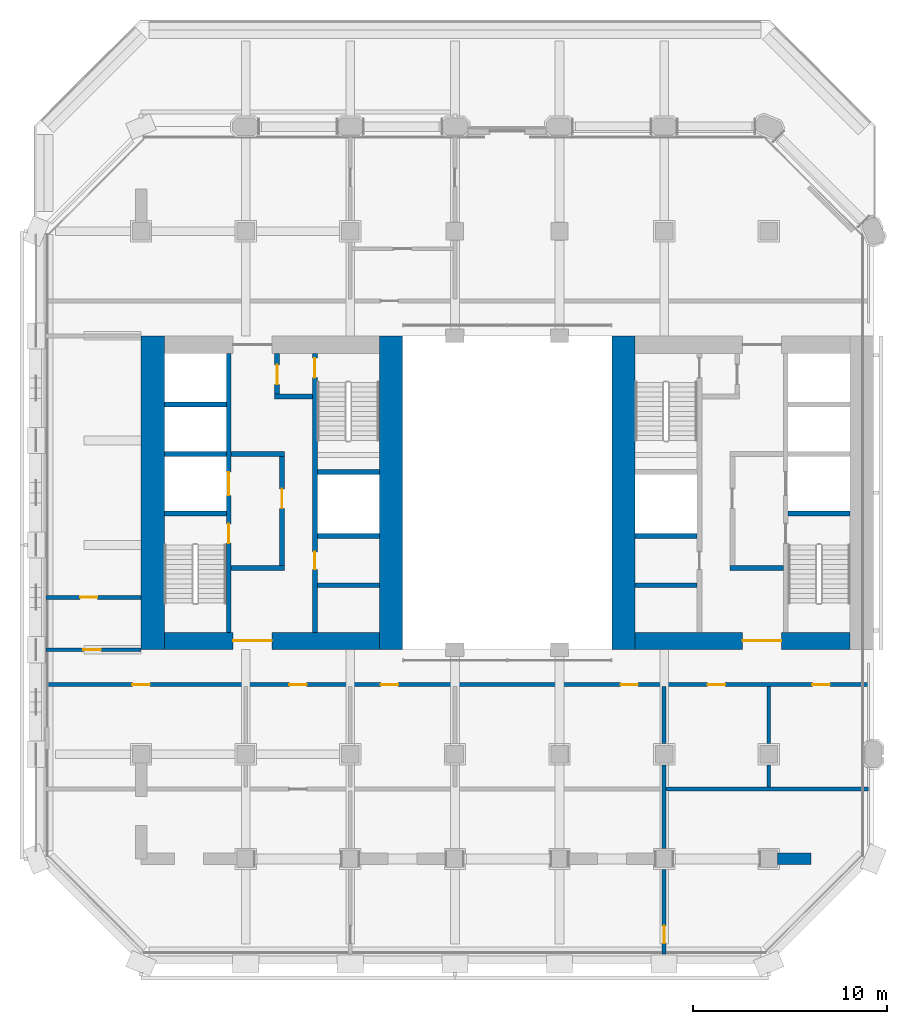
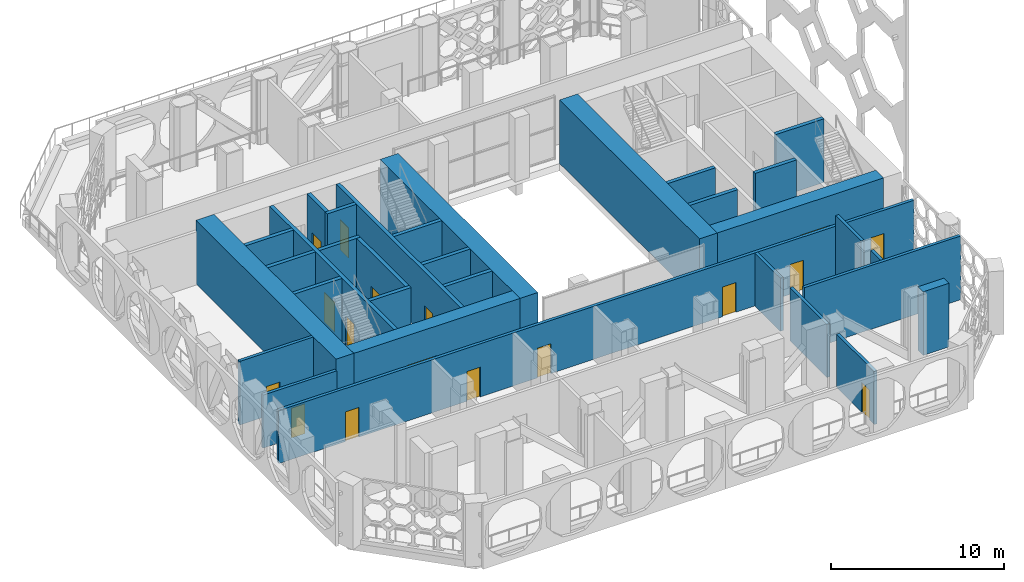
# One storey, part 9 of 17: 32 walls, 17 doors, 17 openings.
"""IFC4 building model written with IfcOpenShell, lengths in metres."""

import ifcopenshell
import ifcopenshell.guid

model = None  # the IFC model being written
_history = None  # IfcOwnerHistory: only IFC2X3 demands one
_inside = {}  # id of a spatial element -> (the spatial element, [elements in it])
_under = {}  # id of a project, library or spatial element -> (it, [spatial elements below it])
_declared = {}  # id of a project -> (the project, [libraries it declares])
_typed = {}  # id of a type object -> (the type object, [elements of that type])
_made_of = {}  # id of a material, layer set ... -> (it, [elements and type objects made of it])


def new_model(schema):
    """Start an empty IFC model of exactly this schema.

    Asked for "IFC4X3", IfcOpenShell would pick the latest addendum, in which some entities
    have other attributes; the version numbers below select the first issue.
    IFC2X3 requires an IfcOwnerHistory on every rooted entity: one is made here for all.
    """
    global model, _history
    if schema == "IFC4X3":
        model = ifcopenshell.file(schema_version=(4, 3, 0, 0))
    else:
        model = ifcopenshell.file(schema=schema)
    _inside.clear()
    _under.clear()
    _declared.clear()
    _typed.clear()
    _made_of.clear()
    _history = None
    if model.schema == "IFC2X3":
        org = make("IfcOrganization", Name="unknown")
        user = make(
            "IfcPersonAndOrganization",
            ThePerson=make("IfcPerson", FamilyName="unknown"),
            TheOrganization=org,
        )
        app = make(
            "IfcApplication",
            ApplicationDeveloper=org,
            Version="unknown",
            ApplicationFullName="unknown",
            ApplicationIdentifier="unknown",
        )
        _history = make(
            "IfcOwnerHistory",
            OwningUser=user,
            OwningApplication=app,
            ChangeAction="ADDED",
            CreationDate=0,
        )
    return model


def make(cls, **values):
    """One entity of the class cls with the attributes given. An attribute that is None is left unset."""
    return model.create_entity(
        cls, **{name: value for name, value in values.items() if value is not None}
    )


def rooted(cls, **values):
    """An entity with a GlobalId (a new one), such as an element, a storey or a relation."""
    return make(cls, GlobalId=ifcopenshell.guid.new(), OwnerHistory=_history, **values)


def si_unit(unit_type, name, prefix=None):
    """IfcSIUnit, for example si_unit("LENGTHUNIT", "METRE", prefix="MILLI")."""
    return make("IfcSIUnit", UnitType=unit_type, Prefix=prefix, Name=name)


def assignment(units):
    """IfcUnitAssignment: the units of a project."""
    return None if units is None else make("IfcUnitAssignment", Units=units)


def point(xyz):
    """IfcCartesianPoint."""
    return None if xyz is None else make("IfcCartesianPoint", Coordinates=xyz)


def direction(xyz):
    """IfcDirection."""
    return None if xyz is None else make("IfcDirection", DirectionRatios=xyz)


def frame(location, z_axis=None, x_axis=None):
    """IfcAxis2Placement3D, a coordinate frame: its origin and axes. An axis left out is left unset."""
    return make(
        "IfcAxis2Placement3D",
        Location=point(location),
        Axis=direction(z_axis),
        RefDirection=direction(x_axis),
    )


def frame_2d(location, x_axis=None):
    """IfcAxis2Placement2D, a coordinate frame in the plane: its origin and x axis."""
    return make(
        "IfcAxis2Placement2D", Location=point(location), RefDirection=direction(x_axis)
    )


def origin():
    """The frame at (0, 0, 0) with its axes left unset."""
    return frame((0.0, 0.0, 0.0))


def place(relative_to, where):
    """IfcLocalPlacement: puts the frame where relative to a parent placement (None: the world)."""
    return make(
        "IfcLocalPlacement", PlacementRelTo=relative_to, RelativePlacement=where
    )


def context(
    kind, dimensions, precision=None, world=None, true_north=None, identifier=None
):
    """IfcGeometricRepresentationContext, for example the 3D "Model" context."""
    return make(
        "IfcGeometricRepresentationContext",
        ContextIdentifier=identifier,
        ContextType=kind,
        CoordinateSpaceDimension=dimensions,
        Precision=precision,
        WorldCoordinateSystem=world,
        TrueNorth=true_north,
    )


def subcontext(parent, identifier, kind, view, scale=None):
    """IfcGeometricRepresentationSubContext, for example "Body" below "Model"."""
    return make(
        "IfcGeometricRepresentationSubContext",
        ContextIdentifier=identifier,
        ContextType=kind,
        ParentContext=parent,
        TargetScale=scale,
        TargetView=view,
    )


def project(units=None, contexts=None):
    """IfcProject with its units and contexts."""
    return rooted(
        "IfcProject",
        Name="project",
        RepresentationContexts=contexts,
        UnitsInContext=assignment(units),
    )


def spatial(cls, under=None, at=None, **own):
    """A site, building, storey or space (cls), placed at a placement, below another one or the project."""
    s = rooted(cls, ObjectPlacement=at, **own)
    if under is not None:
        _under.setdefault(under.id(), (under, []))[1].append(s)
    return s


def profile(cls, at=None, kind="AREA", **sizes):
    """A parametric profile (cls). Its sizes go by their IFC names, for example OverallWidth=200.0."""
    return make(cls, ProfileType=kind, Position=at, **sizes)


def rectangle(**sizes):
    """IfcRectangleProfileDef."""
    return profile("IfcRectangleProfileDef", **sizes)


def extrude(swept, where, along, depth):
    """IfcExtrudedAreaSolid: the profile swept, set in the frame where, extruded along a direction by depth."""
    return make(
        "IfcExtrudedAreaSolid",
        SweptArea=swept,
        Position=where,
        ExtrudedDirection=direction(along),
        Depth=depth,
    )


def shape(context_of_items, identifier, shape_type, items):
    """IfcShapeRepresentation: the items that make up one representation, for example the "Body"."""
    return make(
        "IfcShapeRepresentation",
        ContextOfItems=context_of_items,
        RepresentationIdentifier=identifier,
        RepresentationType=shape_type,
        Items=items,
    )


def material(Name=None, Category=None):
    """IfcMaterial."""
    return make("IfcMaterial", Name=Name, Category=Category)


def layer(
    of_material, thickness, ventilated=None, Name=None, Category=None, Priority=None
):
    """IfcMaterialLayer: one layer of a wall or slab, of a material (None: an air gap)."""
    return make(
        "IfcMaterialLayer",
        Material=of_material,
        LayerThickness=thickness,
        IsVentilated=ventilated,
        Name=Name,
        Category=Category,
        Priority=Priority,
    )


def layer_set(layers, Name=None):
    """IfcMaterialLayerSet."""
    return make("IfcMaterialLayerSet", MaterialLayers=layers, LayerSetName=Name)


def made_of(thing, what):
    """Note that an element or type object is made of a material, layer set ...; save() writes the relation."""
    if what is not None:
        _made_of.setdefault(what.id(), (what, []))[1].append(thing)
    return thing


def type_object(cls, material=None, **own):
    """A type object (cls), such as IfcWallType, which elements share."""
    return made_of(rooted(cls, **own), material)


def element(
    cls,
    number,
    at=None,
    inside=None,
    cuts=None,
    type_object=None,
    material=None,
    context=None,
    identifier="Body",
    shape_type=None,
    held_by="IfcProductDefinitionShape",
    body=None,
    shapes=None,
    **own,
):
    """One element of the class cls, such as IfcWall. Its Tag is "e" and its number.

    at: its placement. inside: the storey or other place that contains it. cuts: it is an
    opening in that element (IfcRelVoidsElement). A single representation is given by context,
    identifier, shape_type and body (its items); several are given by shapes. held_by: the class
    of the entity that holds the representations. save() writes the other relations.
    """
    e = rooted(cls, Tag="e%d" % number, ObjectPlacement=at, **own)
    if body is not None:
        shapes = [shape(context, identifier, shape_type, body)]
    if shapes is not None:
        e.Representation = make(held_by, Representations=shapes)
    if inside is not None:
        _inside.setdefault(inside.id(), (inside, []))[1].append(e)
    if cuts is not None:
        rooted(
            "IfcRelVoidsElement", RelatingBuildingElement=cuts, RelatedOpeningElement=e
        )
    if type_object is not None:
        _typed.setdefault(type_object.id(), (type_object, []))[1].append(e)
    return made_of(e, material)


def fill(opening, filler):
    """IfcRelFillsElement: the door or window that sits in an opening."""
    return rooted(
        "IfcRelFillsElement",
        RelatingOpeningElement=opening,
        RelatedBuildingElement=filler,
    )


def aggregate(whole, parts):
    """IfcRelAggregates: a whole, such as a stair, and the parts it consists of."""
    return rooted("IfcRelAggregates", RelatingObject=whole, RelatedObjects=parts)


def save(model, path):
    """Write the relations noted so far, then the file.

    IfcRelAggregates (storeys below a building ...), IfcRelContainedInSpatialStructure (elements
    in a storey), IfcRelDefinesByType, IfcRelAssociatesMaterial and IfcRelDeclares: one each for
    every whole, place, type object, material and project.
    """
    for whole, parts in _under.values():
        aggregate(whole, parts)
    for where, things in _inside.values():
        rooted(
            "IfcRelContainedInSpatialStructure",
            RelatedElements=things,
            RelatingStructure=where,
        )
    for kind, things in _typed.values():
        rooted("IfcRelDefinesByType", RelatedObjects=things, RelatingType=kind)
    for what, things in _made_of.values():
        rooted("IfcRelAssociatesMaterial", RelatedObjects=things, RelatingMaterial=what)
    for by, libraries in _declared.values():
        rooted("IfcRelDeclares", RelatingContext=by, RelatedDefinitions=libraries)
    model.write(path)


model = new_model("IFC4")

# Units and contexts
model_context = context("Model", 3, precision=1e-05, world=origin(), true_north=direction((0.0, 1.0)))
body_context = subcontext(model_context, "Body", "Model", "MODEL_VIEW")
ifc_project = project(units=[si_unit("LENGTHUNIT", "METRE"), si_unit("AREAUNIT", "SQUARE_METRE"), si_unit("VOLUMEUNIT", "CUBIC_METRE"), si_unit("PLANEANGLEUNIT", "RADIAN"), si_unit("MASSUNIT", "GRAM", prefix="KILO")], contexts=[model_context])

# Site, building, storey
site_placement = place(None, origin())
site = spatial("IfcSite", under=ifc_project, at=site_placement, CompositionType="ELEMENT")
building_placement = place(site_placement, origin())
building = spatial("IfcBuilding", under=site, at=building_placement, Name="Tabaq Tower and Sports Hall", CompositionType="ELEMENT")
storey_placement = place(building_placement, frame((0.0, 0.0, 125.800048828125)))
storey = spatial("IfcBuildingStorey", under=building, at=storey_placement, Name="L30", CompositionType="ELEMENT", Elevation=125.800048828125)

# Walls
ifc_material_1 = material(Name="Concrete C50/60", Category="concrete")
ifc_layer_1 = layer(ifc_material_1, 1.199951171875)
ifc_layer_set_1 = layer_set([ifc_layer_1], Name="Core wall 1200 Concrete C50/60")
wall_type_1 = type_object("IfcWallType", Name="Core wall 1200 Concrete C50/60", PredefinedType="SOLIDWALL", material=ifc_layer_set_1)
for number, where, z_axis, x_axis, name in (
    (1, (6.0, 16.199951171875, 0.0), (0.0, 0.0, 1.0), (0.0, 1.0, 0.0), "Core wall W L30"),
    (2, (18.300048828125, 32.39990234375, 0.0), (0.0, 0.0, 1.0), (0.0, -1.0, 0.0), "Core wall W L30"),
    (3, (30.300048828125, 16.199951171875, 0.0), (0.0, 0.0, 1.0), (0.0, 1.0, 0.0), "Core wall E L30"),
):
    element("IfcWall", number, at=place(storey_placement, frame(where, z_axis=z_axis, x_axis=x_axis)), inside=storey, type_object=wall_type_1, Name=name, PredefinedType="SOLIDWALL", context=body_context, shape_type="SweptSolid", body=[
        extrude(rectangle(XDim=16.199951171875, YDim=1.199951171875, at=frame_2d((8.10009765625, 0.0))), origin(), (0.0, 0.0, 1.0), 4.5),
    ])

# Wall, opening, door
ifc_material_2 = material(Name="Concrete C50/60", Category="concrete")
ifc_layer_2 = layer(ifc_material_2, 0.89990234375)
ifc_layer_set_2 = layer_set([ifc_layer_2], Name="Core wall 900 Concrete C50/60")
wall_type_2 = type_object("IfcWallType", Name="Core wall 900 Concrete C50/60", PredefinedType="SOLIDWALL", material=ifc_layer_set_2)
wall_1_placement = place(storey_placement, frame((17.699951171875, 16.64990234375, 0.0), z_axis=(0.0, 0.0, 1.0), x_axis=(-1.0, 0.0, 0.0)))
wall_1 = element("IfcWall", 4, at=wall_1_placement, inside=storey, type_object=wall_type_2, Name="Core wall W L30", PredefinedType="SOLIDWALL", context=body_context, shape_type="SweptSolid", body=[
    extrude(rectangle(XDim=11.099853515625, YDim=0.89990234375, at=frame_2d((5.5498046875, 0.0))), origin(), (0.0, 0.0, 1.0), 4.5),
])
opening_1_placement = place(wall_1_placement, frame((5.550048828125, 0.0, 0.0)))
opening_1 = element("IfcOpeningElement", 5, at=opening_1_placement, cuts=wall_1, Name="Opening PD-WL30-01", PredefinedType="OPENING", context=body_context, shape_type="SweptSolid", body=[
    extrude(rectangle(XDim=2.0, YDim=2.39990234375, at=frame_2d((1.0, 1.199951171875))), frame((0.0, 0.449951171875, 0.0), z_axis=(0.0, -1.0, 0.0), x_axis=(1.0, 0.0, 0.0)), (0.0, 0.0, 1.0), 0.89990234375),
])
ifc_material_3 = material(Name="Steel fire door", Category="steel")
door_type_1 = type_object("IfcDoorType", Name="Core entrance door 2000", OperationType="DOUBLE_DOOR_SINGLE_SWING", PredefinedType="DOOR", material=ifc_material_3)
door_1_placement = place(opening_1_placement, origin())
door_1 = element("IfcDoor", 6, at=door_1_placement, inside=storey, type_object=door_type_1, Name="Core entrance south W L30", OperationType="DOUBLE_DOOR_SINGLE_SWING", OverallHeight=2.39990234375, OverallWidth=2.0, PredefinedType="DOOR", context=body_context, shape_type="SweptSolid", body=[
    extrude(rectangle(XDim=2.0, YDim=2.39990234375, at=frame_2d((1.0, 1.199951171875))), frame((0.0, 0.02490234375, 0.0), z_axis=(0.0, -1.0, 0.0), x_axis=(1.0, 0.0, 0.0)), (0.0, 0.0, 1.0), 0.050048828125),
])
fill(opening_1, door_1)

wall_2_placement = place(storey_placement, frame((42.0, 16.64990234375, 0.0), z_axis=(0.0, 0.0, 1.0), x_axis=(-1.0, 0.0, 0.0)))
wall_2 = element("IfcWall", 7, at=wall_2_placement, inside=storey, type_object=wall_type_2, Name="Core wall E L30", PredefinedType="SOLIDWALL", context=body_context, shape_type="SweptSolid", body=[
    extrude(rectangle(XDim=11.10009765625, YDim=0.89990234375, at=frame_2d((5.550048828125, 0.0))), origin(), (0.0, 0.0, 1.0), 4.5),
])
opening_2_placement = place(wall_2_placement, frame((3.550048828125, 0.0, 0.0)))
opening_2 = element("IfcOpeningElement", 8, at=opening_2_placement, cuts=wall_2, Name="Opening PD-EL30-01", PredefinedType="OPENING", context=body_context, shape_type="SweptSolid", body=[
    extrude(rectangle(XDim=2.0, YDim=2.39990234375, at=frame_2d((1.0, 1.199951171875))), frame((0.0, 0.449951171875, 0.0), z_axis=(0.0, -1.0, 0.0), x_axis=(1.0, 0.0, 0.0)), (0.0, 0.0, 1.0), 0.89990234375),
])
door_2_placement = place(opening_2_placement, origin())
door_2 = element("IfcDoor", 9, at=door_2_placement, inside=storey, type_object=door_type_1, Name="Core entrance south E L30", OperationType="DOUBLE_DOOR_SINGLE_SWING", OverallHeight=2.39990234375, OverallWidth=2.0, PredefinedType="DOOR", context=body_context, shape_type="SweptSolid", body=[
    extrude(rectangle(XDim=2.0, YDim=2.39990234375, at=frame_2d((1.0, 1.199951171875))), frame((0.0, 0.02490234375, 0.0), z_axis=(0.0, -1.0, 0.0), x_axis=(1.0, 0.0, 0.0)), (0.0, 0.0, 1.0), 0.050048828125),
])
fill(opening_2, door_2)

ifc_material_4 = material(Name="Blockwork", Category="masonry")
ifc_layer_3 = layer(ifc_material_4, 0.199951171875)
ifc_layer_set_3 = layer_set([ifc_layer_3], Name="Fire compartment wall 200 Blockwork")
wall_type_3 = type_object("IfcWallType", Name="Fire compartment wall 200 Blockwork", PredefinedType="PARTITIONING", material=ifc_layer_set_3)
wall_3_placement = place(storey_placement, frame((0.47998046875, 16.199951171875, 0.0), z_axis=(0.0, 0.0, 1.0), x_axis=(1.0, 0.0, 0.0)))
wall_3 = element("IfcWall", 10, at=wall_3_placement, inside=storey, type_object=wall_type_3, Name="Compartment wall L30", PredefinedType="PARTITIONING", context=body_context, shape_type="SweptSolid", body=[
    extrude(rectangle(XDim=4.919921875, YDim=0.199951171875, at=frame_2d((2.4599609375, 0.0))), origin(), (0.0, 0.0, 1.0), 3.75),
])
opening_3_placement = place(wall_3_placement, frame((1.944580078125, 0.0, 0.0)))
opening_3 = element("IfcOpeningElement", 11, at=opening_3_placement, cuts=wall_3, Name="Opening L30-011", PredefinedType="OPENING", context=body_context, shape_type="SweptSolid", body=[
    extrude(rectangle(XDim=0.89990234375, YDim=2.10009765625, at=frame_2d((0.449951171875, 1.050048828125))), frame((0.0, 0.10009765625, 0.0), z_axis=(0.0, -1.0, 0.0), x_axis=(1.0, 0.0, 0.0)), (0.0, 0.0, 1.0), 0.199951171875),
])
ifc_material_5 = material(Name="Steel fire door", Category="steel")
door_type_2 = type_object("IfcDoorType", Name="Plant room door 900 right hand", OperationType="SINGLE_SWING_RIGHT", PredefinedType="DOOR", material=ifc_material_5)
door_3_placement = place(opening_3_placement, origin())
door_3 = element("IfcDoor", 12, at=door_3_placement, inside=storey, type_object=door_type_2, Name="Plant room door L30-011", OperationType="SINGLE_SWING_RIGHT", OverallHeight=2.10009765625, OverallWidth=0.89990234375, PredefinedType="DOOR", context=body_context, shape_type="SweptSolid", body=[
    extrude(rectangle(XDim=0.89990234375, YDim=2.10009765625, at=frame_2d((0.449951171875, 1.050048828125))), frame((0.0, 0.02490234375, 0.0), z_axis=(0.0, -1.0, 0.0), x_axis=(1.0, 0.0, 0.0)), (0.0, 0.0, 1.0), 0.050048828125),
])
fill(opening_3, door_3)

# Wall, openings, doors
wall_4_placement = place(storey_placement, frame((42.949951171875, 14.39990234375, 0.0), z_axis=(0.0, 0.0, 1.0), x_axis=(-1.0, 0.0, 0.0)))
wall_4 = element("IfcWall", 13, at=wall_4_placement, inside=storey, type_object=wall_type_3, Name="Compartment wall L30", PredefinedType="PARTITIONING", context=body_context, shape_type="SweptSolid", body=[
    extrude(rectangle(XDim=42.469970703125, YDim=0.199951171875, at=frame_2d((21.23486328125, 0.0))), origin(), (0.0, 0.0, 1.0), 3.75),
])
opening_4_placement = place(wall_4_placement, frame((37.10009765625, 0.0, 0.0)))
opening_4 = element("IfcOpeningElement", 14, at=opening_4_placement, cuts=wall_4, Name="Opening L30-001", PredefinedType="OPENING", context=body_context, shape_type="SweptSolid", body=[
    extrude(rectangle(XDim=0.89990234375, YDim=2.10009765625, at=frame_2d((0.449951171875, 1.050048828125))), frame((0.0, 0.10009765625, 0.0), z_axis=(0.0, -1.0, 0.0), x_axis=(1.0, 0.0, 0.0)), (0.0, 0.0, 1.0), 0.199951171875),
])
opening_5_placement = place(wall_4_placement, frame((24.27490234375, 0.0, 0.0)))
opening_5 = element("IfcOpeningElement", 15, at=opening_5_placement, cuts=wall_4, Name="Opening L30-002", PredefinedType="OPENING", context=body_context, shape_type="SweptSolid", body=[
    extrude(rectangle(XDim=0.89990234375, YDim=2.10009765625, at=frame_2d((0.449951171875, 1.050048828125))), frame((0.0, 0.10009765625, 0.0), z_axis=(0.0, -1.0, 0.0), x_axis=(1.0, 0.0, 0.0)), (0.0, 0.0, 1.0), 0.199951171875),
])
opening_6_placement = place(wall_4_placement, frame((11.89990234375, 0.0, 0.0)))
opening_6 = element("IfcOpeningElement", 16, at=opening_6_placement, cuts=wall_4, Name="Opening L30-003", PredefinedType="OPENING", context=body_context, shape_type="SweptSolid", body=[
    extrude(rectangle(XDim=0.89990234375, YDim=2.10009765625, at=frame_2d((0.449951171875, 1.050048828125))), frame((0.0, 0.10009765625, 0.0), z_axis=(0.0, -1.0, 0.0), x_axis=(1.0, 0.0, 0.0)), (0.0, 0.0, 1.0), 0.199951171875),
])
opening_7_placement = place(wall_4_placement, frame((7.39990234375, 0.0, 0.0)))
opening_7 = element("IfcOpeningElement", 17, at=opening_7_placement, cuts=wall_4, Name="Opening L30-004", PredefinedType="OPENING", context=body_context, shape_type="SweptSolid", body=[
    extrude(rectangle(XDim=0.89990234375, YDim=2.10009765625, at=frame_2d((0.449951171875, 1.050048828125))), frame((0.0, 0.10009765625, 0.0), z_axis=(0.0, -1.0, 0.0), x_axis=(1.0, 0.0, 0.0)), (0.0, 0.0, 1.0), 0.199951171875),
])
opening_8_placement = place(wall_4_placement, frame((2.0, 0.0, 0.0)))
opening_8 = element("IfcOpeningElement", 18, at=opening_8_placement, cuts=wall_4, Name="Opening L30-005", PredefinedType="OPENING", context=body_context, shape_type="SweptSolid", body=[
    extrude(rectangle(XDim=0.89990234375, YDim=2.10009765625, at=frame_2d((0.449951171875, 1.050048828125))), frame((0.0, 0.10009765625, 0.0), z_axis=(0.0, -1.0, 0.0), x_axis=(1.0, 0.0, 0.0)), (0.0, 0.0, 1.0), 0.199951171875),
])
opening_9_placement = place(wall_4_placement, frame((29.0, 0.0, 0.0)))
opening_9 = element("IfcOpeningElement", 19, at=opening_9_placement, cuts=wall_4, Name="Opening L30-010", PredefinedType="OPENING", context=body_context, shape_type="SweptSolid", body=[
    extrude(rectangle(XDim=0.89990234375, YDim=2.10009765625, at=frame_2d((0.449951171875, 1.050048828125))), frame((0.0, 0.10009765625, 0.0), z_axis=(0.0, -1.0, 0.0), x_axis=(1.0, 0.0, 0.0)), (0.0, 0.0, 1.0), 0.199951171875),
])
ifc_material_6 = material(Name="Steel fire door", Category="steel")
door_type_3 = type_object("IfcDoorType", Name="Plant room door 900 left hand", OperationType="SINGLE_SWING_LEFT", PredefinedType="DOOR", material=ifc_material_6)
door_4_placement = place(opening_4_placement, origin())
door_4 = element("IfcDoor", 20, at=door_4_placement, inside=storey, type_object=door_type_3, Name="Plant room door L30-001", OperationType="SINGLE_SWING_LEFT", OverallHeight=2.10009765625, OverallWidth=0.89990234375, PredefinedType="DOOR", context=body_context, shape_type="SweptSolid", body=[
    extrude(rectangle(XDim=0.89990234375, YDim=2.10009765625, at=frame_2d((0.449951171875, 1.050048828125))), frame((0.0, 0.02490234375, 0.0), z_axis=(0.0, -1.0, 0.0), x_axis=(1.0, 0.0, 0.0)), (0.0, 0.0, 1.0), 0.050048828125),
])
fill(opening_4, door_4)
door_5_placement = place(opening_5_placement, origin())
door_5 = element("IfcDoor", 21, at=door_5_placement, inside=storey, type_object=door_type_3, Name="Plant room door L30-002", OperationType="SINGLE_SWING_LEFT", OverallHeight=2.10009765625, OverallWidth=0.89990234375, PredefinedType="DOOR", context=body_context, shape_type="SweptSolid", body=[
    extrude(rectangle(XDim=0.89990234375, YDim=2.10009765625, at=frame_2d((0.449951171875, 1.050048828125))), frame((0.0, 0.02490234375, 0.0), z_axis=(0.0, -1.0, 0.0), x_axis=(1.0, 0.0, 0.0)), (0.0, 0.0, 1.0), 0.050048828125),
])
fill(opening_5, door_5)
door_6_placement = place(opening_6_placement, origin())
door_6 = element("IfcDoor", 22, at=door_6_placement, inside=storey, type_object=door_type_3, Name="Plant room door L30-003", OperationType="SINGLE_SWING_LEFT", OverallHeight=2.10009765625, OverallWidth=0.89990234375, PredefinedType="DOOR", context=body_context, shape_type="SweptSolid", body=[
    extrude(rectangle(XDim=0.89990234375, YDim=2.10009765625, at=frame_2d((0.449951171875, 1.050048828125))), frame((0.0, 0.02490234375, 0.0), z_axis=(0.0, -1.0, 0.0), x_axis=(1.0, 0.0, 0.0)), (0.0, 0.0, 1.0), 0.050048828125),
])
fill(opening_6, door_6)
door_7_placement = place(opening_9_placement, origin())
door_7 = element("IfcDoor", 23, at=door_7_placement, inside=storey, type_object=door_type_3, Name="Plant room door L30-010", OperationType="SINGLE_SWING_LEFT", OverallHeight=2.10009765625, OverallWidth=0.89990234375, PredefinedType="DOOR", context=body_context, shape_type="SweptSolid", body=[
    extrude(rectangle(XDim=0.89990234375, YDim=2.10009765625, at=frame_2d((0.449951171875, 1.050048828125))), frame((0.0, 0.02490234375, 0.0), z_axis=(0.0, -1.0, 0.0), x_axis=(1.0, 0.0, 0.0)), (0.0, 0.0, 1.0), 0.050048828125),
])
fill(opening_9, door_7)
door_8_placement = place(opening_7_placement, origin())
door_8 = element("IfcDoor", 24, at=door_8_placement, inside=storey, type_object=door_type_2, Name="Plant room door L30-004", OperationType="SINGLE_SWING_RIGHT", OverallHeight=2.10009765625, OverallWidth=0.89990234375, PredefinedType="DOOR", context=body_context, shape_type="SweptSolid", body=[
    extrude(rectangle(XDim=0.89990234375, YDim=2.10009765625, at=frame_2d((0.449951171875, 1.050048828125))), frame((0.0, 0.02490234375, 0.0), z_axis=(0.0, -1.0, 0.0), x_axis=(1.0, 0.0, 0.0)), (0.0, 0.0, 1.0), 0.050048828125),
])
fill(opening_7, door_8)
door_9_placement = place(opening_8_placement, origin())
door_9 = element("IfcDoor", 25, at=door_9_placement, inside=storey, type_object=door_type_2, Name="Plant room door L30-005", OperationType="SINGLE_SWING_RIGHT", OverallHeight=2.10009765625, OverallWidth=0.89990234375, PredefinedType="DOOR", context=body_context, shape_type="SweptSolid", body=[
    extrude(rectangle(XDim=0.89990234375, YDim=2.10009765625, at=frame_2d((0.449951171875, 1.050048828125))), frame((0.0, 0.02490234375, 0.0), z_axis=(0.0, -1.0, 0.0), x_axis=(1.0, 0.0, 0.0)), (0.0, 0.0, 1.0), 0.050048828125),
])
fill(opening_8, door_9)

# Wall, opening, door
wall_5_placement = place(storey_placement, frame((32.39990234375, 0.47998046875, 0.0), z_axis=(0.0, 0.0, 1.0), x_axis=(0.0, 1.0, 0.0)))
wall_5 = element("IfcWall", 26, at=wall_5_placement, inside=storey, type_object=wall_type_3, Name="Compartment wall L30", PredefinedType="PARTITIONING", context=body_context, shape_type="SweptSolid", body=[
    extrude(rectangle(XDim=4.369384765625, YDim=0.199951171875, at=frame_2d((2.1845703125, 0.0))), origin(), (0.0, 0.0, 1.0), 3.75),
])
opening_10_placement = place(wall_5_placement, frame((0.570068359375, 0.0, 0.0)))
opening_10 = element("IfcOpeningElement", 27, at=opening_10_placement, cuts=wall_5, Name="Opening L30-008", PredefinedType="OPENING", context=body_context, shape_type="SweptSolid", body=[
    extrude(rectangle(XDim=0.89990234375, YDim=2.10009765625, at=frame_2d((0.449951171875, 1.050048828125))), frame((0.0, 0.10009765625, 0.0), z_axis=(0.0, -1.0, 0.0), x_axis=(1.0, 0.0, 0.0)), (0.0, 0.0, 1.0), 0.199951171875),
])
ifc_material_7 = material(Name="Steel fire door", Category="steel")
door_type_4 = type_object("IfcDoorType", Name="Refuge holding area door 900 right hand", OperationType="SINGLE_SWING_RIGHT", PredefinedType="DOOR", material=ifc_material_7)
door_10_placement = place(opening_10_placement, origin())
door_10 = element("IfcDoor", 28, at=door_10_placement, inside=storey, type_object=door_type_4, Name="Refuge holding area door L30-008", OperationType="SINGLE_SWING_RIGHT", OverallHeight=2.10009765625, OverallWidth=0.89990234375, PredefinedType="DOOR", context=body_context, shape_type="SweptSolid", body=[
    extrude(rectangle(XDim=0.89990234375, YDim=2.10009765625, at=frame_2d((0.449951171875, 1.050048828125))), frame((0.0, 0.02490234375, 0.0), z_axis=(0.0, -1.0, 0.0), x_axis=(1.0, 0.0, 0.0)), (0.0, 0.0, 1.0), 0.050048828125),
])
fill(opening_10, door_10)

# Walls
wall_6_placement = place(storey_placement, frame((42.949951171875, 9.0, 0.0), z_axis=(0.0, 0.0, 1.0), x_axis=(-1.0, 0.0, 0.0)))
element("IfcWall", 29, at=wall_6_placement, inside=storey, type_object=wall_type_3, Name="Compartment wall L30", PredefinedType="PARTITIONING", context=body_context, shape_type="SweptSolid", body=[
    extrude(rectangle(XDim=10.449951171875, YDim=0.199951171875, at=frame_2d((5.22509765625, 0.0))), origin(), (0.0, 0.0, 1.0), 4.5),
])
wall_7_placement = place(storey_placement, frame((32.39990234375, 5.95068359375, 0.0), z_axis=(0.0, 0.0, 1.0), x_axis=(0.0, 1.0, 0.0)))
element("IfcWall", 30, at=wall_7_placement, inside=storey, type_object=wall_type_3, Name="Compartment wall L30", PredefinedType="PARTITIONING", context=body_context, shape_type="SweptSolid", body=[
    extrude(rectangle(XDim=4.298583984375, YDim=0.199951171875, at=frame_2d((2.1494140625, 0.0))), origin(), (0.0, 0.0, 1.0), 3.75),
])
wall_8_placement = place(storey_placement, frame((32.39990234375, 11.3505859375, 0.0), z_axis=(0.0, 0.0, 1.0), x_axis=(0.0, 1.0, 0.0)))
element("IfcWall", 31, at=wall_8_placement, inside=storey, type_object=wall_type_3, Name="Compartment wall L30", PredefinedType="PARTITIONING", context=body_context, shape_type="SweptSolid", body=[
    extrude(rectangle(XDim=2.949462890625, YDim=0.199951171875, at=frame_2d((1.474609375, 0.0))), origin(), (0.0, 0.0, 1.0), 3.75),
])
wall_9_placement = place(storey_placement, frame((37.800048828125, 9.10009765625, 0.0), z_axis=(0.0, 0.0, 1.0), x_axis=(0.0, 1.0, 0.0)))
element("IfcWall", 32, at=wall_9_placement, inside=storey, type_object=wall_type_3, Name="Compartment wall L30", PredefinedType="PARTITIONING", context=body_context, shape_type="SweptSolid", body=[
    extrude(rectangle(XDim=1.149169921875, YDim=0.199951171875, at=frame_2d((0.57470703125, 0.0))), origin(), (0.0, 0.0, 1.0), 4.5),
])
wall_10_placement = place(storey_placement, frame((37.800048828125, 11.3505859375, 0.0), z_axis=(0.0, 0.0, 1.0), x_axis=(0.0, 1.0, 0.0)))
element("IfcWall", 33, at=wall_10_placement, inside=storey, type_object=wall_type_3, Name="Compartment wall L30", PredefinedType="PARTITIONING", context=body_context, shape_type="SweptSolid", body=[
    extrude(rectangle(XDim=2.949462890625, YDim=0.199951171875, at=frame_2d((1.474609375, 0.0))), origin(), (0.0, 0.0, 1.0), 4.5),
])

# Wall, opening, door
wall_11_placement = place(storey_placement, frame((5.39990234375, 18.89990234375, 0.0), z_axis=(0.0, 0.0, 1.0), x_axis=(-1.0, 0.0, 0.0)))
wall_11 = element("IfcWall", 34, at=wall_11_placement, inside=storey, type_object=wall_type_3, Name="Compartment wall L30", PredefinedType="PARTITIONING", context=body_context, shape_type="SweptSolid", body=[
    extrude(rectangle(XDim=4.919921875, YDim=0.199951171875, at=frame_2d((2.4599609375, 0.0))), origin(), (0.0, 0.0, 1.0), 4.5),
])
opening_11_placement = place(wall_11_placement, frame((2.25, 0.0, 0.0)))
opening_11 = element("IfcOpeningElement", 35, at=opening_11_placement, cuts=wall_11, Name="Opening L30-009", PredefinedType="OPENING", context=body_context, shape_type="SweptSolid", body=[
    extrude(rectangle(XDim=0.89990234375, YDim=2.10009765625, at=frame_2d((0.449951171875, 1.050048828125))), frame((0.0, 0.10009765625, 0.0), z_axis=(0.0, -1.0, 0.0), x_axis=(1.0, 0.0, 0.0)), (0.0, 0.0, 1.0), 0.199951171875),
])
door_11_placement = place(opening_11_placement, origin())
door_11 = element("IfcDoor", 36, at=door_11_placement, inside=storey, type_object=door_type_4, Name="Refuge holding area door L30-009", OperationType="SINGLE_SWING_RIGHT", OverallHeight=2.10009765625, OverallWidth=0.89990234375, PredefinedType="DOOR", context=body_context, shape_type="SweptSolid", body=[
    extrude(rectangle(XDim=0.89990234375, YDim=2.10009765625, at=frame_2d((0.449951171875, 1.050048828125))), frame((0.0, 0.02490234375, 0.0), z_axis=(0.0, -1.0, 0.0), x_axis=(1.0, 0.0, 0.0)), (0.0, 0.0, 1.0), 0.050048828125),
])
fill(opening_11, door_11)

# Wall
ifc_material_8 = material(Name="Concrete C50/60", Category="concrete")
ifc_layer_4 = layer(ifc_material_8, 0.60009765625)
ifc_layer_set_4 = layer_set([ifc_layer_4], Name="RC TRANSFER WALL 600 C50/60")
wall_type_4 = type_object("IfcWallType", Name="RC TRANSFER WALL 600 C50/60", PredefinedType="SHEAR", material=ifc_layer_set_4)
wall_12_placement = place(storey_placement, frame((38.25, 5.39990234375, 0.0), z_axis=(0.0, 0.0, 1.0), x_axis=(1.0, 0.0, 0.0)))
element("IfcWall", 37, at=wall_12_placement, inside=storey, type_object=wall_type_4, Name="Transfer Wall L30 South 11", PredefinedType="SHEAR", context=body_context, shape_type="SweptSolid", body=[
    extrude(rectangle(XDim=1.72509765625, YDim=0.60009765625, at=frame_2d((0.862548828125, 0.0))), origin(), (0.0, 0.0, 1.0), 4.5),
])

# Wall, openings, doors
ifc_material_9 = material(Name="Concrete C40/50", Category="concrete")
ifc_layer_5 = layer(ifc_material_9, 0.25)
ifc_layer_set_5 = layer_set([ifc_layer_5], Name="Shaft and stair wall 250 Concrete C40/50")
wall_type_5 = type_object("IfcWallType", Name="Shaft and stair wall 250 Concrete C40/50", PredefinedType="SOLIDWALL", material=ifc_layer_set_5)
wall_13_placement = place(storey_placement, frame((9.925048828125, 17.10009765625, 0.0), z_axis=(0.0, 0.0, 1.0), x_axis=(0.0, 1.0, 0.0)))
wall_13 = element("IfcWall", 38, at=wall_13_placement, inside=storey, type_object=wall_type_5, Name="Shaft wall W L30", PredefinedType="SOLIDWALL", context=body_context, shape_type="SweptSolid", body=[
    extrude(rectangle(XDim=14.39990234375, YDim=0.25, at=frame_2d((7.199951171875, 0.0))), origin(), (0.0, 0.0, 1.0), 4.5),
])
opening_12_placement = place(wall_13_placement, frame((4.60009765625, 0.0, 0.0)))
opening_12 = element("IfcOpeningElement", 39, at=opening_12_placement, cuts=wall_13, Name="Opening SD-WL30-03", PredefinedType="OPENING", context=body_context, shape_type="SweptSolid", body=[
    extrude(rectangle(XDim=1.0, YDim=2.10009765625, at=frame_2d((0.5, 1.050048828125))), frame((0.0, 0.125, 0.0), z_axis=(0.0, -1.0, 0.0), x_axis=(1.0, 0.0, 0.0)), (0.0, 0.0, 1.0), 0.25),
])
opening_13_placement = place(wall_13_placement, frame((7.0625, 0.0, 0.0)))
opening_13 = element("IfcOpeningElement", 40, at=opening_13_placement, cuts=wall_13, Name="Opening LD-FF1-L30", PredefinedType="OPENING", context=body_context, shape_type="SweptSolid", body=[
    extrude(rectangle(XDim=1.199951171875, YDim=2.10009765625, at=frame_2d((0.60009765625, 1.050048828125))), frame((0.0, 0.125, 0.0), z_axis=(0.0, -1.0, 0.0), x_axis=(1.0, 0.0, 0.0)), (0.0, 0.0, 1.0), 0.25),
])
ifc_material_10 = material(Name="Stainless steel", Category="steel")
door_type_5 = type_object("IfcDoorType", Name="Lift landing door 1200", OperationType="DOUBLE_DOOR_SLIDING", PredefinedType="DOOR", material=ifc_material_10)
door_12_placement = place(opening_13_placement, origin())
door_12 = element("IfcDoor", 41, at=door_12_placement, inside=storey, type_object=door_type_5, Name="Lift landing door FF1 W L30", OperationType="DOUBLE_DOOR_SLIDING", OverallHeight=2.10009765625, OverallWidth=1.199951171875, PredefinedType="DOOR", context=body_context, shape_type="SweptSolid", body=[
    extrude(rectangle(XDim=1.199951171875, YDim=2.10009765625, at=frame_2d((0.60009765625, 1.050048828125))), frame((0.0, 0.02490234375, 0.0), z_axis=(0.0, -1.0, 0.0), x_axis=(1.0, 0.0, 0.0)), (0.0, 0.0, 1.0), 0.050048828125),
])
fill(opening_13, door_12)
ifc_material_11 = material(Name="Steel fire door", Category="steel")
door_type_6 = type_object("IfcDoorType", Name="Stair door 1000", OperationType="SINGLE_SWING_LEFT", PredefinedType="DOOR", material=ifc_material_11)
door_13_placement = place(opening_12_placement, origin())
door_13 = element("IfcDoor", 42, at=door_13_placement, inside=storey, type_object=door_type_6, Name="Stair door ST1 W L30", OperationType="SINGLE_SWING_LEFT", OverallHeight=2.10009765625, OverallWidth=1.0, PredefinedType="DOOR", context=body_context, shape_type="SweptSolid", body=[
    extrude(rectangle(XDim=1.0, YDim=2.10009765625, at=frame_2d((0.5, 1.050048828125))), frame((0.0, 0.02490234375, 0.0), z_axis=(0.0, -1.0, 0.0), x_axis=(1.0, 0.0, 0.0)), (0.0, 0.0, 1.0), 0.050048828125),
])
fill(opening_12, door_13)

wall_14_placement = place(storey_placement, frame((14.375, 17.10009765625, 0.0), z_axis=(0.0, 0.0, 1.0), x_axis=(0.0, 1.0, 0.0)))
wall_14 = element("IfcWall", 43, at=wall_14_placement, inside=storey, type_object=wall_type_5, Name="Shaft wall W L30", PredefinedType="SOLIDWALL", context=body_context, shape_type="SweptSolid", body=[
    extrude(rectangle(XDim=14.39990234375, YDim=0.25, at=frame_2d((7.199951171875, 0.0))), origin(), (0.0, 0.0, 1.0), 4.5),
])
opening_14_placement = place(wall_14_placement, frame((13.14990234375, 0.0, 0.0)))
opening_14 = element("IfcOpeningElement", 44, at=opening_14_placement, cuts=wall_14, Name="Opening SD-WL30-05", PredefinedType="OPENING", context=body_context, shape_type="SweptSolid", body=[
    extrude(rectangle(XDim=1.0, YDim=2.10009765625, at=frame_2d((0.5, 1.050048828125))), frame((0.0, 0.125, 0.0), z_axis=(0.0, -1.0, 0.0), x_axis=(1.0, 0.0, 0.0)), (0.0, 0.0, 1.0), 0.25),
])
opening_15_placement = place(wall_14_placement, frame((3.25, 0.0, 0.0)))
opening_15 = element("IfcOpeningElement", 45, at=opening_15_placement, cuts=wall_14, Name="Opening RD-WL30-08", PredefinedType="OPENING", context=body_context, shape_type="SweptSolid", body=[
    extrude(rectangle(XDim=0.89990234375, YDim=2.10009765625, at=frame_2d((0.449951171875, 1.050048828125))), frame((0.0, 0.125, 0.0), z_axis=(0.0, -1.0, 0.0), x_axis=(1.0, 0.0, 0.0)), (0.0, 0.0, 1.0), 0.25),
])
ifc_material_12 = material(Name="Steel fire door", Category="steel")
door_type_7 = type_object("IfcDoorType", Name="Core room door 900", OperationType="SINGLE_SWING_LEFT", PredefinedType="DOOR", material=ifc_material_12)
door_14_placement = place(opening_15_placement, origin())
door_14 = element("IfcDoor", 46, at=door_14_placement, inside=storey, type_object=door_type_7, Name="Door Cleaner's Store W L30", OperationType="SINGLE_SWING_LEFT", OverallHeight=2.10009765625, OverallWidth=0.89990234375, PredefinedType="DOOR", context=body_context, shape_type="SweptSolid", body=[
    extrude(rectangle(XDim=0.89990234375, YDim=2.10009765625, at=frame_2d((0.449951171875, 1.050048828125))), frame((0.0, 0.02490234375, 0.0), z_axis=(0.0, -1.0, 0.0), x_axis=(1.0, 0.0, 0.0)), (0.0, 0.0, 1.0), 0.050048828125),
])
fill(opening_15, door_14)
door_15_placement = place(opening_14_placement, origin())
door_15 = element("IfcDoor", 47, at=door_15_placement, inside=storey, type_object=door_type_6, Name="Stair door ST2 W L30", OperationType="SINGLE_SWING_LEFT", OverallHeight=2.10009765625, OverallWidth=1.0, PredefinedType="DOOR", context=body_context, shape_type="SweptSolid", body=[
    extrude(rectangle(XDim=1.0, YDim=2.10009765625, at=frame_2d((0.5, 1.050048828125))), frame((0.0, 0.02490234375, 0.0), z_axis=(0.0, -1.0, 0.0), x_axis=(1.0, 0.0, 0.0)), (0.0, 0.0, 1.0), 0.050048828125),
])
fill(opening_14, door_15)

# Walls
for number, where, z_axis, x_axis, name in (
    (48, (6.60009765625, 23.22509765625, 0.0), (0.0, 0.0, 1.0), (1.0, 0.0, 0.0), "Stair enclosure wall W L30"),
    (49, (14.5, 25.375, 0.0), (0.0, 0.0, 1.0), (1.0, 0.0, 0.0), "Stair enclosure wall W L30"),
    (50, (14.5, 22.074951171875, 0.0), (0.0, 0.0, 1.0), (1.0, 0.0, 0.0), "Shaft wall W L30"),
    (51, (6.60009765625, 26.300048828125, 0.0), (0.0, 0.0, 1.0), (1.0, 0.0, 0.0), "Shaft wall W L30"),
):
    element("IfcWall", number, at=place(storey_placement, frame(where, z_axis=z_axis, x_axis=x_axis)), inside=storey, type_object=wall_type_5, Name=name, PredefinedType="SOLIDWALL", context=body_context, shape_type="SweptSolid", body=[
        extrude(rectangle(XDim=3.199951171875, YDim=0.25, at=frame_2d((1.60009765625, 0.0))), origin(), (0.0, 0.0, 1.0), 4.5),
    ])
for number, where, z_axis, x_axis, name in (
    (52, (10.050048828125, 26.300048828125, 0.0), (0.0, 0.0, 1.0), (1.0, 0.0, 0.0), "Fire-fighting lobby wall W L30"),
    (53, (10.050048828125, 20.425048828125, 0.0), (0.0, 0.0, 1.0), (1.0, 0.0, 0.0), "Fire-fighting lobby wall W L30"),
):
    element("IfcWall", number, at=place(storey_placement, frame(where, z_axis=z_axis, x_axis=x_axis)), inside=storey, type_object=wall_type_5, Name=name, PredefinedType="SOLIDWALL", context=body_context, shape_type="SweptSolid", body=[
        extrude(rectangle(XDim=2.75, YDim=0.25, at=frame_2d((1.375, 0.0))), origin(), (0.0, 0.0, 1.0), 4.5),
    ])

# Wall, opening, door
wall_15_placement = place(storey_placement, frame((12.425048828125, 29.39990234375, 0.0), z_axis=(0.0, 0.0, 1.0), x_axis=(0.0, 1.0, 0.0)))
wall_15 = element("IfcWall", 54, at=wall_15_placement, inside=storey, type_object=wall_type_5, Name="Fire-fighting lobby wall W L30", PredefinedType="SOLIDWALL", context=body_context, shape_type="SweptSolid", body=[
    extrude(rectangle(XDim=2.10009765625, YDim=0.25, at=frame_2d((1.050048828125, 0.0))), origin(), (0.0, 0.0, 1.0), 4.5),
])
opening_16_placement = place(wall_15_placement, frame((0.5, 0.0, 0.0)))
opening_16 = element("IfcOpeningElement", 55, at=opening_16_placement, cuts=wall_15, Name="Opening FD-WL30-06", PredefinedType="OPENING", context=body_context, shape_type="SweptSolid", body=[
    extrude(rectangle(XDim=1.0, YDim=2.10009765625, at=frame_2d((0.5, 1.050048828125))), frame((0.0, 0.125, 0.0), z_axis=(0.0, -1.0, 0.0), x_axis=(1.0, 0.0, 0.0)), (0.0, 0.0, 1.0), 0.25),
])
ifc_material_13 = material(Name="Steel fire door", Category="steel")
door_type_8 = type_object("IfcDoorType", Name="Fire-fighting lobby door 1000", OperationType="SINGLE_SWING_LEFT", PredefinedType="DOOR", material=ifc_material_13)
door_16_placement = place(opening_16_placement, origin())
door_16 = element("IfcDoor", 56, at=door_16_placement, inside=storey, type_object=door_type_8, Name="Stair lobby door W L30", OperationType="SINGLE_SWING_LEFT", OverallHeight=2.10009765625, OverallWidth=1.0, PredefinedType="DOOR", context=body_context, shape_type="SweptSolid", body=[
    extrude(rectangle(XDim=1.0, YDim=2.10009765625, at=frame_2d((0.5, 1.050048828125))), frame((0.0, 0.02490234375, 0.0), z_axis=(0.0, -1.0, 0.0), x_axis=(1.0, 0.0, 0.0)), (0.0, 0.0, 1.0), 0.050048828125),
])
fill(opening_16, door_16)

# Wall
wall_16_placement = place(storey_placement, frame((12.300048828125, 29.27490234375, 0.0), z_axis=(0.0, 0.0, 1.0), x_axis=(1.0, 0.0, 0.0)))
element("IfcWall", 57, at=wall_16_placement, inside=storey, type_object=wall_type_5, Name="Fire-fighting lobby wall W L30", PredefinedType="SOLIDWALL", context=body_context, shape_type="SweptSolid", body=[
    extrude(rectangle(XDim=1.949951171875, YDim=0.25, at=frame_2d((0.97509765625, 0.0))), origin(), (0.0, 0.0, 1.0), 4.5),
])

# Wall, opening, door
wall_17_placement = place(storey_placement, frame((12.675048828125, 20.550048828125, 0.0), z_axis=(0.0, 0.0, 1.0), x_axis=(0.0, 1.0, 0.0)))
wall_17 = element("IfcWall", 58, at=wall_17_placement, inside=storey, type_object=wall_type_5, Name="Fire-fighting lobby wall W L30", PredefinedType="SOLIDWALL", context=body_context, shape_type="SweptSolid", body=[
    extrude(rectangle(XDim=5.625, YDim=0.25, at=frame_2d((2.8125, 0.0))), origin(), (0.0, 0.0, 1.0), 4.5),
])
opening_17_placement = place(wall_17_placement, frame((2.949951171875, 0.0, 0.0)))
opening_17 = element("IfcOpeningElement", 59, at=opening_17_placement, cuts=wall_17, Name="Opening FD-WL30-04", PredefinedType="OPENING", context=body_context, shape_type="SweptSolid", body=[
    extrude(rectangle(XDim=1.0, YDim=2.10009765625, at=frame_2d((0.5, 1.050048828125))), frame((0.0, 0.125, 0.0), z_axis=(0.0, -1.0, 0.0), x_axis=(1.0, 0.0, 0.0)), (0.0, 0.0, 1.0), 0.25),
])
door_17_placement = place(opening_17_placement, origin())
door_17 = element("IfcDoor", 60, at=door_17_placement, inside=storey, type_object=door_type_8, Name="Fire-fighting lobby door W L30", OperationType="SINGLE_SWING_LEFT", OverallHeight=2.10009765625, OverallWidth=1.0, PredefinedType="DOOR", context=body_context, shape_type="SweptSolid", body=[
    extrude(rectangle(XDim=1.0, YDim=2.10009765625, at=frame_2d((0.5, 1.050048828125))), frame((0.0, 0.02490234375, 0.0), z_axis=(0.0, -1.0, 0.0), x_axis=(1.0, 0.0, 0.0)), (0.0, 0.0, 1.0), 0.050048828125),
])
fill(opening_17, door_17)

# Walls
for number, where, z_axis, x_axis, name in (
    (61, (6.60009765625, 28.85009765625, 0.0), (0.0, 0.0, 1.0), (1.0, 0.0, 0.0), "Shaft wall W L30"),
    (62, (14.5, 19.52490234375, 0.0), (0.0, 0.0, 1.0), (1.0, 0.0, 0.0), "Shaft wall W L30"),
    (63, (38.800048828125, 23.22509765625, 0.0), (0.0, 0.0, 1.0), (1.0, 0.0, 0.0), "Stair enclosure wall E L30"),
):
    element("IfcWall", number, at=place(storey_placement, frame(where, z_axis=z_axis, x_axis=x_axis)), inside=storey, type_object=wall_type_5, Name=name, PredefinedType="SOLIDWALL", context=body_context, shape_type="SweptSolid", body=[
        extrude(rectangle(XDim=3.199951171875, YDim=0.25, at=frame_2d((1.60009765625, 0.0))), origin(), (0.0, 0.0, 1.0), 4.5),
    ])
wall_18_placement = place(storey_placement, frame((30.89990234375, 22.074951171875, 0.0), z_axis=(0.0, 0.0, 1.0), x_axis=(1.0, 0.0, 0.0)))
element("IfcWall", 64, at=wall_18_placement, inside=storey, type_object=wall_type_5, Name="Shaft wall E L30", PredefinedType="SOLIDWALL", context=body_context, shape_type="SweptSolid", body=[
    extrude(rectangle(XDim=3.2001953125, YDim=0.25, at=frame_2d((1.60009765625, 0.0))), origin(), (0.0, 0.0, 1.0), 4.5),
])
wall_19_placement = place(storey_placement, frame((35.800048828125, 20.425048828125, 0.0), z_axis=(0.0, 0.0, 1.0), x_axis=(1.0, 0.0, 0.0)))
element("IfcWall", 65, at=wall_19_placement, inside=storey, type_object=wall_type_5, Name="Fire-fighting lobby wall E L30", PredefinedType="SOLIDWALL", context=body_context, shape_type="SweptSolid", body=[
    extrude(rectangle(XDim=2.75, YDim=0.25, at=frame_2d((1.375, 0.0))), origin(), (0.0, 0.0, 1.0), 4.5),
])
wall_20_placement = place(storey_placement, frame((30.89990234375, 19.52490234375, 0.0), z_axis=(0.0, 0.0, 1.0), x_axis=(1.0, 0.0, 0.0)))
element("IfcWall", 66, at=wall_20_placement, inside=storey, type_object=wall_type_5, Name="Shaft wall E L30", PredefinedType="SOLIDWALL", context=body_context, shape_type="SweptSolid", body=[
    extrude(rectangle(XDim=3.2001953125, YDim=0.25, at=frame_2d((1.60009765625, 0.0))), origin(), (0.0, 0.0, 1.0), 4.5),
])

save(model, "model.ifc")
